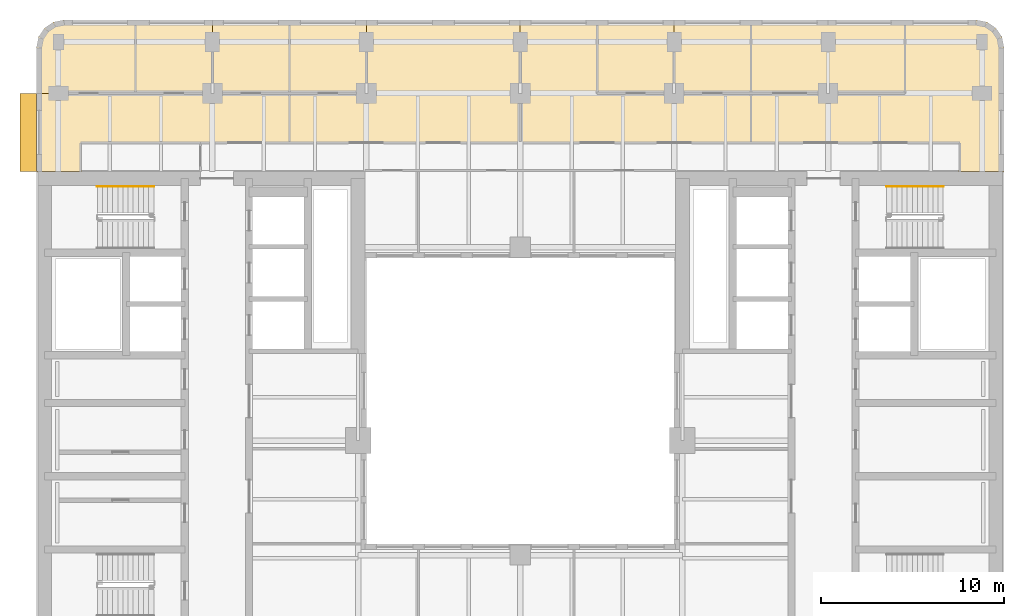
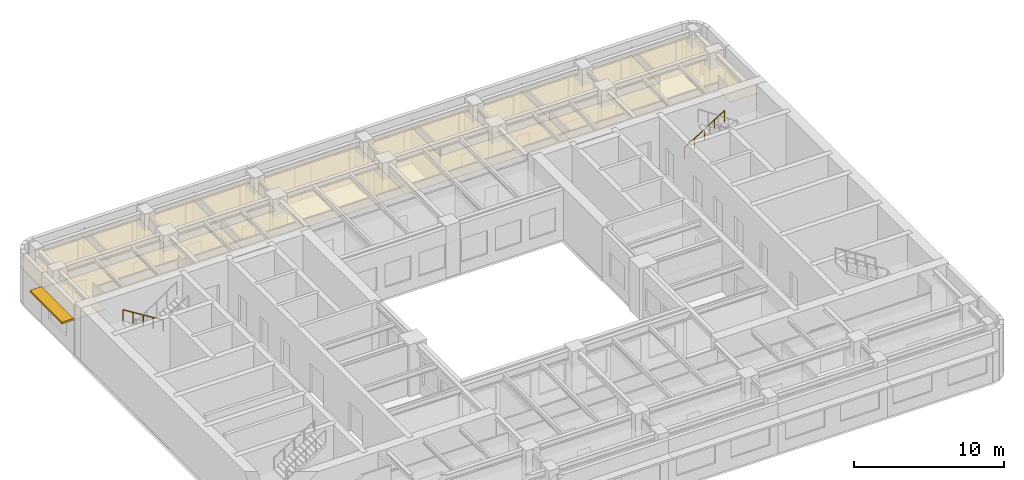
# One storey, part 12 of 12: 11 coverings, 2 railings, 1 shading device.
"""IFC4 building model written with IfcOpenShell, lengths in metres."""

from ifc_helpers import new_model, si_unit, direction, frame, origin, origin_2d, place, context, subcontext, project, spatial, polyline, rectangle, circle, outline, extrude, material, layer, layer_set, type_object, element, save


model = new_model("IFC4")

# Units and contexts
model_context = context("Model", 3, precision=1e-05, world=origin(), true_north=direction((0.0, 1.0)))
body_context = subcontext(model_context, "Body", "Model", "MODEL_VIEW")
ifc_project = project(units=[si_unit("LENGTHUNIT", "METRE"), si_unit("AREAUNIT", "SQUARE_METRE"), si_unit("VOLUMEUNIT", "CUBIC_METRE"), si_unit("PLANEANGLEUNIT", "RADIAN"), si_unit("MASSUNIT", "GRAM", prefix="KILO")], contexts=[model_context])

# Site, building, storey
site_placement = place(None, origin())
site = spatial("IfcSite", under=ifc_project, at=site_placement, CompositionType="ELEMENT")
building_placement = place(site_placement, origin())
building = spatial("IfcBuilding", under=site, at=building_placement, Name="Claustro Exchange Tower", CompositionType="ELEMENT")
storey_placement = place(building_placement, frame((0.0, 0.0, 223.800048828125)))
storey = spatial("IfcBuildingStorey", under=building, at=storey_placement, Name="L51", CompositionType="ELEMENT", Elevation=223.800048828125)

# Coverings
ifc_material_1 = material(Name="Perforated metal ceiling tiles", Category="steel")
ifc_layer_1 = layer(ifc_material_1, 0.030029296875)
ifc_layer_set_1 = layer_set([ifc_layer_1], Name="Perforated metal ceiling tiles")
covering_type_1 = type_object("IfcCoveringType", Name="CL1 suspended metal ceiling", PredefinedType="CEILING", material=ifc_layer_set_1)
covering_1_placement = place(storey_placement, frame((0.0, 0.0, 2.800048828125)))
element("IfcCovering", 1, at=covering_1_placement, inside=storey, type_object=covering_type_1, Name="Ceiling CL1 L51-25", PredefinedType="CEILING", context=body_context, shape_type="SweptSolid", body=[
    extrude(outline(polyline([(-1.125, 37.72509765625), (1.294921875, 37.72509765625), (1.294921875, 37.800048828125), (1.199951171875, 37.800048828125), (1.199951171875, 39.300048828125), (12.60009765625, 39.300048828125), (12.60009765625, 42.0), (-1.199951171875, 42.0), (-1.199951171875, 37.705078125), (-1.125, 37.705078125), (-1.125, 37.72509765625)])), origin(), (0.0, 0.0, 1.0), 0.02978515625),
])
ifc_material_2 = material(Name="Gypsum board ceiling", Category="gypsum board")
ifc_layer_2 = layer(ifc_material_2, 0.02490234375)
ifc_layer_set_2 = layer_set([ifc_layer_2], Name="Gypsum board ceiling")
covering_type_2 = type_object("IfcCoveringType", Name="CL2 plasterboard ceiling", PredefinedType="CEILING", material=ifc_layer_set_2)
covering_2_placement = place(storey_placement, frame((0.0, 0.0, 2.800048828125)))
element("IfcCovering", 2, at=covering_2_placement, inside=storey, type_object=covering_type_2, Name="Ceiling CL2 L51-26", PredefinedType="CEILING", context=body_context, shape_type="SweptSolid", body=[
    extrude(outline(polyline([(51.52490234375, 37.72509765625), (51.52490234375, 37.705078125), (51.60009765625, 37.705078125), (51.60009765625, 44.5), (51.48583984375, 45.073974609375), (51.16064453125, 45.560791015625), (50.674072265625, 45.8857421875), (50.10009765625, 46.0), (46.199951171875, 46.0), (46.199951171875, 42.0), (37.800048828125, 42.0), (37.800048828125, 39.300048828125), (49.199951171875, 39.300048828125), (49.199951171875, 37.800048828125), (49.10498046875, 37.800048828125), (49.10498046875, 37.72509765625), (51.52490234375, 37.72509765625)])), origin(), (0.0, 0.0, 1.0), 0.02490234375),
])
covering_3_placement = place(storey_placement, frame((0.0, 0.0, 2.800048828125)))
element("IfcCovering", 3, at=covering_3_placement, inside=storey, type_object=covering_type_2, Name="Ceiling CL2 L51-27", PredefinedType="CEILING", context=body_context, shape_type="SweptSolid", body=[
    extrude(outline(polyline([(29.39990234375, 46.0), (25.199951171875, 46.0), (25.199951171875, 39.300048828125), (37.800048828125, 39.300048828125), (37.800048828125, 42.0), (33.60009765625, 42.0), (29.39990234375, 42.0), (29.39990234375, 46.0)])), origin(), (0.0, 0.0, 1.0), 0.02490234375),
])
covering_4_placement = place(storey_placement, frame((0.0, 0.0, 2.800048828125)))
element("IfcCovering", 4, at=covering_4_placement, inside=storey, type_object=covering_type_2, Name="Ceiling CL2 L51-28", PredefinedType="CEILING", context=body_context, shape_type="SweptSolid", body=[
    extrude(outline(polyline([(25.199951171875, 46.0), (16.800048828125, 46.0), (16.800048828125, 42.0), (12.60009765625, 42.0), (12.60009765625, 39.300048828125), (25.199951171875, 39.300048828125), (25.199951171875, 46.0)])), origin(), (0.0, 0.0, 1.0), 0.02490234375),
])
covering_5_placement = place(storey_placement, frame((0.0, 0.0, 2.800048828125)))
element("IfcCovering", 5, at=covering_5_placement, inside=storey, type_object=covering_type_2, Name="Ceiling CL2 L51-29", PredefinedType="CEILING", context=body_context, shape_type="SweptSolid", body=[
    extrude(outline(polyline([(-1.199951171875, 44.5), (-1.199951171875, 42.0), (4.199951171875, 42.0), (4.199951171875, 46.0), (0.300048828125, 46.0), (-0.27392578125, 45.8857421875), (-0.7607421875, 45.560791015625), (-1.085693359375, 45.073974609375), (-1.199951171875, 44.5)])), origin(), (0.0, 0.0, 1.0), 0.02490234375),
])
covering_6_placement = place(storey_placement, frame((0.0, 0.0, 2.800048828125)))
element("IfcCovering", 6, at=covering_6_placement, inside=storey, type_object=covering_type_2, Name="Ceiling CL2 L51-30", PredefinedType="CEILING", context=body_context, shape_type="SweptSolid", body=[
    extrude(outline(polyline([(8.39990234375, 46.0), (4.199951171875, 46.0), (4.199951171875, 42.0), (8.39990234375, 42.0), (8.39990234375, 46.0)])), origin(), (0.0, 0.0, 1.0), 0.02490234375),
])
covering_7_placement = place(storey_placement, frame((0.0, 0.0, 2.800048828125)))
element("IfcCovering", 7, at=covering_7_placement, inside=storey, type_object=covering_type_2, Name="Ceiling CL2 L51-31", PredefinedType="CEILING", context=body_context, shape_type="SweptSolid", body=[
    extrude(outline(polyline([(12.60009765625, 46.0), (8.39990234375, 46.0), (8.39990234375, 42.0), (12.60009765625, 42.0), (12.60009765625, 46.0)])), origin(), (0.0, 0.0, 1.0), 0.02490234375),
])
covering_8_placement = place(storey_placement, frame((0.0, 0.0, 2.800048828125)))
element("IfcCovering", 8, at=covering_8_placement, inside=storey, type_object=covering_type_2, Name="Ceiling CL2 L51-32", PredefinedType="CEILING", context=body_context, shape_type="SweptSolid", body=[
    extrude(outline(polyline([(16.800048828125, 46.0), (12.60009765625, 46.0), (12.60009765625, 42.0), (16.800048828125, 42.0), (16.800048828125, 46.0)])), origin(), (0.0, 0.0, 1.0), 0.02490234375),
])
covering_9_placement = place(storey_placement, frame((0.0, 0.0, 2.800048828125)))
element("IfcCovering", 9, at=covering_9_placement, inside=storey, type_object=covering_type_2, Name="Ceiling CL2 L51-33", PredefinedType="CEILING", context=body_context, shape_type="SweptSolid", body=[
    extrude(outline(polyline([(33.60009765625, 46.0), (29.39990234375, 46.0), (29.39990234375, 42.0), (33.60009765625, 42.0), (33.60009765625, 46.0)])), origin(), (0.0, 0.0, 1.0), 0.02490234375),
])
covering_10_placement = place(storey_placement, frame((0.0, 0.0, 2.800048828125)))
element("IfcCovering", 10, at=covering_10_placement, inside=storey, type_object=covering_type_2, Name="Ceiling CL2 L51-34", PredefinedType="CEILING", context=body_context, shape_type="SweptSolid", body=[
    extrude(outline(polyline([(37.800048828125, 46.0), (33.60009765625, 46.0), (33.60009765625, 42.0), (37.800048828125, 42.0), (37.800048828125, 46.0)])), origin(), (0.0, 0.0, 1.0), 0.02490234375),
])
covering_11_placement = place(storey_placement, frame((0.0, 0.0, 2.800048828125)))
element("IfcCovering", 11, at=covering_11_placement, inside=storey, type_object=covering_type_2, Name="Ceiling CL2 L51-35", PredefinedType="CEILING", context=body_context, shape_type="SweptSolid", body=[
    extrude(outline(polyline([(46.199951171875, 46.0), (37.800048828125, 46.0), (37.800048828125, 42.0), (46.199951171875, 42.0), (46.199951171875, 46.0)])), origin(), (0.0, 0.0, 1.0), 0.02490234375),
])

# Railings
ifc_material_3 = material(Name="Stainless steel tube", Category="steel")
railing_type = type_object("IfcRailingType", Name="HR1 900 stair handrail", PredefinedType="HANDRAIL", material=ifc_material_3)
railing_1_placement = place(storey_placement, frame((5.199951171875, 36.9150390625, 0.175048828125)))
element("IfcRailing", 12, at=railing_1_placement, inside=storey, type_object=railing_type, Name="Handrail HR1 stair STWB L51", PredefinedType="HANDRAIL", context=body_context, shape_type="SweptSolid", body=[
    extrude(circle(Radius=0.02392578125, at=origin_2d()), frame((0.0, 0.0, 0.8759765625), z_axis=(-0.848009633417, 0.0, 0.529980812513), x_axis=(0.0, -1.0, 0.0)), (0.0, 0.0, 1.0), 3.6318359375),
    extrude(circle(Radius=0.02099609375, at=origin_2d()), origin(), (0.0, 0.0, 1.0), 0.851806640625),
    extrude(circle(Radius=0.02099609375, at=origin_2d()), frame((-0.77001953125, 0.0, 0.481201171875)), (0.0, 0.0, 1.0), 0.851806640625),
    extrude(circle(Radius=0.02099609375, at=origin_2d()), frame((-1.5400390625, 0.0, 0.96240234375)), (0.0, 0.0, 1.0), 0.851806640625),
    extrude(circle(Radius=0.02099609375, at=origin_2d()), frame((-2.309814453125, 0.0, 1.443603515625)), (0.0, 0.0, 1.0), 0.851806640625),
    extrude(circle(Radius=0.02099609375, at=origin_2d()), frame((-3.079833984375, 0.0, 1.9248046875)), (0.0, 0.0, 1.0), 0.851806640625),
])
railing_2_placement = place(storey_placement, frame((45.199951171875, 36.9150390625, 0.175048828125)))
element("IfcRailing", 13, at=railing_2_placement, inside=storey, type_object=railing_type, Name="Handrail HR1 stair STEB L51", PredefinedType="HANDRAIL", context=body_context, shape_type="SweptSolid", body=[
    extrude(circle(Radius=0.02392578125, at=origin_2d()), frame((0.0, 0.0, 0.8759765625), z_axis=(0.848028513186, 0.0, 0.529950602248), x_axis=(0.0, 1.0, 0.0)), (0.0, 0.0, 1.0), 3.632080078125),
    extrude(circle(Radius=0.02099609375, at=origin_2d()), origin(), (0.0, 0.0, 1.0), 0.851806640625),
    extrude(circle(Radius=0.02099609375, at=origin_2d()), frame((0.77001953125, 0.0, 0.481201171875)), (0.0, 0.0, 1.0), 0.851806640625),
    extrude(circle(Radius=0.02099609375, at=origin_2d()), frame((1.5400390625, 0.0, 0.96240234375)), (0.0, 0.0, 1.0), 0.851806640625),
    extrude(circle(Radius=0.02099609375, at=origin_2d()), frame((2.31005859375, 0.0, 1.443603515625)), (0.0, 0.0, 1.0), 0.851806640625),
    extrude(circle(Radius=0.02099609375, at=origin_2d()), frame((3.080078125, 0.0, 1.9248046875)), (0.0, 0.0, 1.0), 0.851806640625),
])

# Shading device
ifc_material_4 = material(Name="Concrete HA-40 (C40/50), precast, white cement, acid-etched", Category="concrete")
ifc_layer_3 = layer(ifc_material_4, 0.14990234375)
ifc_layer_set_3 = layer_set([ifc_layer_3], Name="Concrete HA-40 (C40/50), precast, white cement, acid-etched")
shading_device_type = type_object("IfcShadingDeviceType", Name="SS2 900 precast concrete SUNSHADE", PredefinedType="SHUTTER", material=ifc_layer_set_3)
shading_device_placement = place(storey_placement, frame((-1.64990234375, 39.862548828125, 2.800048828125), z_axis=(0.0, 0.0, 1.0), x_axis=(0.0, 1.0, 0.0)))
element("IfcShadingDevice", 14, at=shading_device_placement, inside=storey, type_object=shading_device_type, Name="Precast SUNSHADE SS2 L51", PredefinedType="SHUTTER", context=body_context, shape_type="SweptSolid", body=[
    extrude(rectangle(XDim=4.27490234375, YDim=0.89990234375, at=origin_2d()), origin(), (0.0, 0.0, 1.0), 0.14990234375),
])

save(model, "model.ifc")
